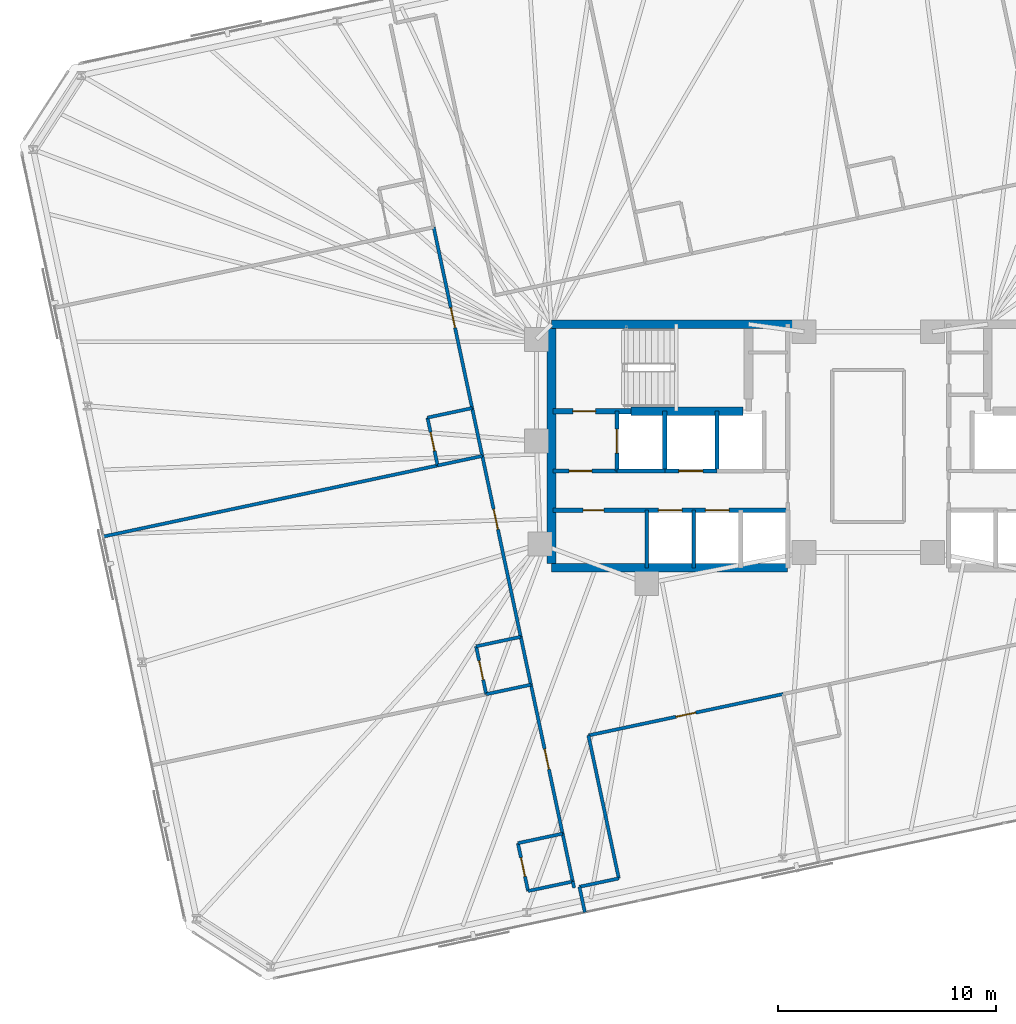
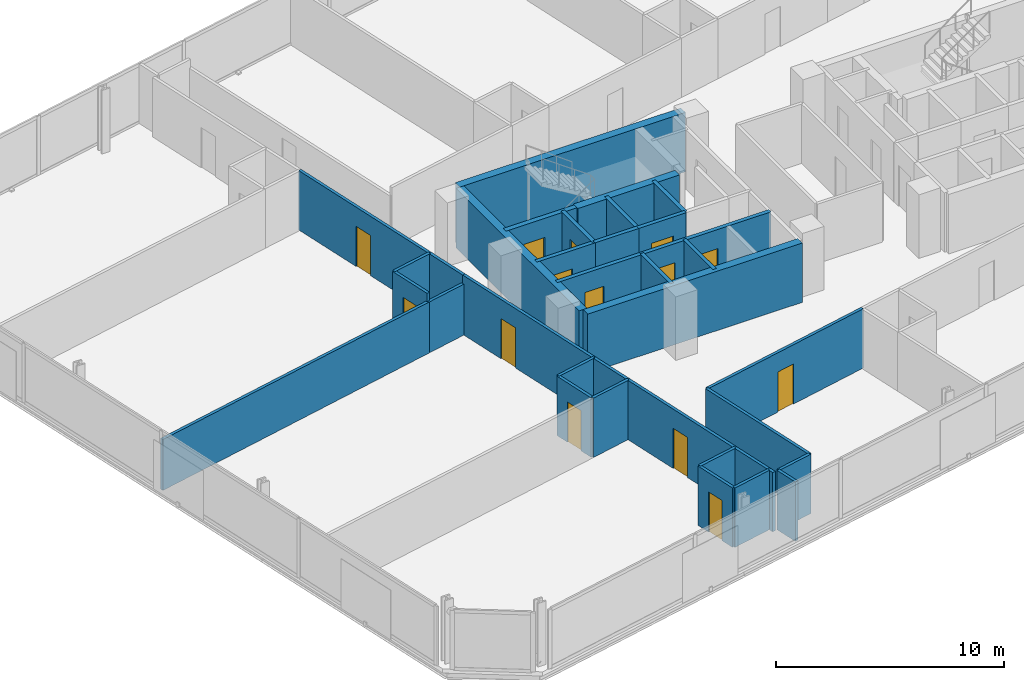
# One storey, part 14 of 19: 35 walls, 14 doors, 14 openings.
"""IFC4 building model written with IfcOpenShell, lengths in metres."""

import ifcopenshell
import ifcopenshell.guid

model = None  # the IFC model being written
_history = None  # IfcOwnerHistory: only IFC2X3 demands one
_inside = {}  # id of a spatial element -> (the spatial element, [elements in it])
_under = {}  # id of a project, library or spatial element -> (it, [spatial elements below it])
_declared = {}  # id of a project -> (the project, [libraries it declares])
_typed = {}  # id of a type object -> (the type object, [elements of that type])
_made_of = {}  # id of a material, layer set ... -> (it, [elements and type objects made of it])


def new_model(schema):
    """Start an empty IFC model of exactly this schema.

    Asked for "IFC4X3", IfcOpenShell would pick the latest addendum, in which some entities
    have other attributes; the version numbers below select the first issue.
    IFC2X3 requires an IfcOwnerHistory on every rooted entity: one is made here for all.
    """
    global model, _history
    if schema == "IFC4X3":
        model = ifcopenshell.file(schema_version=(4, 3, 0, 0))
    else:
        model = ifcopenshell.file(schema=schema)
    _inside.clear()
    _under.clear()
    _declared.clear()
    _typed.clear()
    _made_of.clear()
    _history = None
    if model.schema == "IFC2X3":
        org = make("IfcOrganization", Name="unknown")
        user = make(
            "IfcPersonAndOrganization",
            ThePerson=make("IfcPerson", FamilyName="unknown"),
            TheOrganization=org,
        )
        app = make(
            "IfcApplication",
            ApplicationDeveloper=org,
            Version="unknown",
            ApplicationFullName="unknown",
            ApplicationIdentifier="unknown",
        )
        _history = make(
            "IfcOwnerHistory",
            OwningUser=user,
            OwningApplication=app,
            ChangeAction="ADDED",
            CreationDate=0,
        )
    return model


def make(cls, **values):
    """One entity of the class cls with the attributes given. An attribute that is None is left unset."""
    return model.create_entity(
        cls, **{name: value for name, value in values.items() if value is not None}
    )


def rooted(cls, **values):
    """An entity with a GlobalId (a new one), such as an element, a storey or a relation."""
    return make(cls, GlobalId=ifcopenshell.guid.new(), OwnerHistory=_history, **values)


def si_unit(unit_type, name, prefix=None):
    """IfcSIUnit, for example si_unit("LENGTHUNIT", "METRE", prefix="MILLI")."""
    return make("IfcSIUnit", UnitType=unit_type, Prefix=prefix, Name=name)


def assignment(units):
    """IfcUnitAssignment: the units of a project."""
    return None if units is None else make("IfcUnitAssignment", Units=units)


def point(xyz):
    """IfcCartesianPoint."""
    return None if xyz is None else make("IfcCartesianPoint", Coordinates=xyz)


def direction(xyz):
    """IfcDirection."""
    return None if xyz is None else make("IfcDirection", DirectionRatios=xyz)


def frame(location, z_axis=None, x_axis=None):
    """IfcAxis2Placement3D, a coordinate frame: its origin and axes. An axis left out is left unset."""
    return make(
        "IfcAxis2Placement3D",
        Location=point(location),
        Axis=direction(z_axis),
        RefDirection=direction(x_axis),
    )


def frame_2d(location, x_axis=None):
    """IfcAxis2Placement2D, a coordinate frame in the plane: its origin and x axis."""
    return make(
        "IfcAxis2Placement2D", Location=point(location), RefDirection=direction(x_axis)
    )


def origin():
    """The frame at (0, 0, 0) with its axes left unset."""
    return frame((0.0, 0.0, 0.0))


def place(relative_to, where):
    """IfcLocalPlacement: puts the frame where relative to a parent placement (None: the world)."""
    return make(
        "IfcLocalPlacement", PlacementRelTo=relative_to, RelativePlacement=where
    )


def context(
    kind, dimensions, precision=None, world=None, true_north=None, identifier=None
):
    """IfcGeometricRepresentationContext, for example the 3D "Model" context."""
    return make(
        "IfcGeometricRepresentationContext",
        ContextIdentifier=identifier,
        ContextType=kind,
        CoordinateSpaceDimension=dimensions,
        Precision=precision,
        WorldCoordinateSystem=world,
        TrueNorth=true_north,
    )


def subcontext(parent, identifier, kind, view, scale=None):
    """IfcGeometricRepresentationSubContext, for example "Body" below "Model"."""
    return make(
        "IfcGeometricRepresentationSubContext",
        ContextIdentifier=identifier,
        ContextType=kind,
        ParentContext=parent,
        TargetScale=scale,
        TargetView=view,
    )


def project(units=None, contexts=None):
    """IfcProject with its units and contexts."""
    return rooted(
        "IfcProject",
        Name="project",
        RepresentationContexts=contexts,
        UnitsInContext=assignment(units),
    )


def spatial(cls, under=None, at=None, **own):
    """A site, building, storey or space (cls), placed at a placement, below another one or the project."""
    s = rooted(cls, ObjectPlacement=at, **own)
    if under is not None:
        _under.setdefault(under.id(), (under, []))[1].append(s)
    return s


def profile(cls, at=None, kind="AREA", **sizes):
    """A parametric profile (cls). Its sizes go by their IFC names, for example OverallWidth=200.0."""
    return make(cls, ProfileType=kind, Position=at, **sizes)


def rectangle(**sizes):
    """IfcRectangleProfileDef."""
    return profile("IfcRectangleProfileDef", **sizes)


def extrude(swept, where, along, depth):
    """IfcExtrudedAreaSolid: the profile swept, set in the frame where, extruded along a direction by depth."""
    return make(
        "IfcExtrudedAreaSolid",
        SweptArea=swept,
        Position=where,
        ExtrudedDirection=direction(along),
        Depth=depth,
    )


def shape(context_of_items, identifier, shape_type, items):
    """IfcShapeRepresentation: the items that make up one representation, for example the "Body"."""
    return make(
        "IfcShapeRepresentation",
        ContextOfItems=context_of_items,
        RepresentationIdentifier=identifier,
        RepresentationType=shape_type,
        Items=items,
    )


def material(Name=None, Category=None):
    """IfcMaterial."""
    return make("IfcMaterial", Name=Name, Category=Category)


def layer(
    of_material, thickness, ventilated=None, Name=None, Category=None, Priority=None
):
    """IfcMaterialLayer: one layer of a wall or slab, of a material (None: an air gap)."""
    return make(
        "IfcMaterialLayer",
        Material=of_material,
        LayerThickness=thickness,
        IsVentilated=ventilated,
        Name=Name,
        Category=Category,
        Priority=Priority,
    )


def layer_set(layers, Name=None):
    """IfcMaterialLayerSet."""
    return make("IfcMaterialLayerSet", MaterialLayers=layers, LayerSetName=Name)


def made_of(thing, what):
    """Note that an element or type object is made of a material, layer set ...; save() writes the relation."""
    if what is not None:
        _made_of.setdefault(what.id(), (what, []))[1].append(thing)
    return thing


def type_object(cls, material=None, **own):
    """A type object (cls), such as IfcWallType, which elements share."""
    return made_of(rooted(cls, **own), material)


def element(
    cls,
    number,
    at=None,
    inside=None,
    cuts=None,
    type_object=None,
    material=None,
    context=None,
    identifier="Body",
    shape_type=None,
    held_by="IfcProductDefinitionShape",
    body=None,
    shapes=None,
    **own,
):
    """One element of the class cls, such as IfcWall. Its Tag is "e" and its number.

    at: its placement. inside: the storey or other place that contains it. cuts: it is an
    opening in that element (IfcRelVoidsElement). A single representation is given by context,
    identifier, shape_type and body (its items); several are given by shapes. held_by: the class
    of the entity that holds the representations. save() writes the other relations.
    """
    e = rooted(cls, Tag="e%d" % number, ObjectPlacement=at, **own)
    if body is not None:
        shapes = [shape(context, identifier, shape_type, body)]
    if shapes is not None:
        e.Representation = make(held_by, Representations=shapes)
    if inside is not None:
        _inside.setdefault(inside.id(), (inside, []))[1].append(e)
    if cuts is not None:
        rooted(
            "IfcRelVoidsElement", RelatingBuildingElement=cuts, RelatedOpeningElement=e
        )
    if type_object is not None:
        _typed.setdefault(type_object.id(), (type_object, []))[1].append(e)
    return made_of(e, material)


def fill(opening, filler):
    """IfcRelFillsElement: the door or window that sits in an opening."""
    return rooted(
        "IfcRelFillsElement",
        RelatingOpeningElement=opening,
        RelatedBuildingElement=filler,
    )


def aggregate(whole, parts):
    """IfcRelAggregates: a whole, such as a stair, and the parts it consists of."""
    return rooted("IfcRelAggregates", RelatingObject=whole, RelatedObjects=parts)


def save(model, path):
    """Write the relations noted so far, then the file.

    IfcRelAggregates (storeys below a building ...), IfcRelContainedInSpatialStructure (elements
    in a storey), IfcRelDefinesByType, IfcRelAssociatesMaterial and IfcRelDeclares: one each for
    every whole, place, type object, material and project.
    """
    for whole, parts in _under.values():
        aggregate(whole, parts)
    for where, things in _inside.values():
        rooted(
            "IfcRelContainedInSpatialStructure",
            RelatedElements=things,
            RelatingStructure=where,
        )
    for kind, things in _typed.values():
        rooted("IfcRelDefinesByType", RelatedObjects=things, RelatingType=kind)
    for what, things in _made_of.values():
        rooted("IfcRelAssociatesMaterial", RelatedObjects=things, RelatingMaterial=what)
    for by, libraries in _declared.values():
        rooted("IfcRelDeclares", RelatingContext=by, RelatedDefinitions=libraries)
    model.write(path)


model = new_model("IFC4")

# Units and contexts
model_context = context("Model", 3, precision=1e-05, world=origin(), true_north=direction((0.0, 1.0)))
body_context = subcontext(model_context, "Body", "Model", "MODEL_VIEW")
ifc_project = project(units=[si_unit("LENGTHUNIT", "METRE"), si_unit("AREAUNIT", "SQUARE_METRE"), si_unit("VOLUMEUNIT", "CUBIC_METRE"), si_unit("PLANEANGLEUNIT", "RADIAN"), si_unit("MASSUNIT", "GRAM", prefix="KILO")], contexts=[model_context])

# Site, building, storey
site_placement = place(None, origin())
site = spatial("IfcSite", under=ifc_project, at=site_placement, CompositionType="ELEMENT")
building_placement = place(site_placement, origin())
building = spatial("IfcBuilding", under=site, at=building_placement, Name="Menara Jurai Vektor", CompositionType="ELEMENT")
storey_placement = place(building_placement, frame((0.0, 0.0, 195.60009765625)))
storey = spatial("IfcBuildingStorey", under=building, at=storey_placement, Name="L51", CompositionType="ELEMENT", Elevation=195.60009765625)

# Wall, opening, door
ifc_material_1 = material(Name="Concrete C40/50", Category="concrete")
ifc_layer_1 = layer(ifc_material_1, 0.25)
ifc_layer_set_1 = layer_set([ifc_layer_1], Name="Concrete C40/50")
wall_type_1 = type_object("IfcWallType", Name="INT-WALL-CORE-250", PredefinedType="STANDARD", material=ifc_layer_set_1)
wall_1_placement = place(storey_placement, frame((-14.5, 1.60009765625, 0.0), z_axis=(0.0, 0.0, 1.0), x_axis=(1.0, 0.0, 0.0)))
wall_1 = element("IfcWall", 1, at=wall_1_placement, inside=storey, type_object=wall_type_1, Name="Interior Wall IW-250 L51", PredefinedType="STANDARD", context=body_context, shape_type="SweptSolid", body=[
    extrude(rectangle(XDim=3.60009765625, YDim=0.25, at=frame_2d((1.800048828125, 0.0))), origin(), (0.0, 0.0, 1.0), 3.1748046875),
])
opening_1_placement = place(wall_1_placement, frame((0.919921875, 0.0, 0.0)))
opening_1 = element("IfcOpeningElement", 2, at=opening_1_placement, cuts=wall_1, Name="Opening D-L51-ST1", PredefinedType="OPENING", context=body_context, shape_type="SweptSolid", body=[
    extrude(rectangle(XDim=1.050048828125, YDim=2.14990234375, at=frame_2d((0.52490234375, 1.074951171875))), frame((0.0, 0.135009765625, 0.0), z_axis=(0.0, -1.0, 0.0), x_axis=(1.0, 0.0, 0.0)), (0.0, 0.0, 1.0), 0.27001953125),
])
ifc_material_2 = material(Name="Fire-Rated Steel Door", Category="steel")
door_type_1 = type_object("IfcDoorType", Name="DR-STAIR-1050", OperationType="NOTDEFINED", PredefinedType="DOOR", material=ifc_material_2)
door_1_placement = place(opening_1_placement, origin())
door_1 = element("IfcDoor", 3, at=door_1_placement, inside=storey, type_object=door_type_1, Name="Exit Stair ST1 Door L51", OperationType="SINGLE_SWING_RIGHT", OverallHeight=2.14990234375, OverallWidth=1.050048828125, PredefinedType="DOOR", context=body_context, shape_type="SweptSolid", body=[
    extrude(rectangle(XDim=1.050048828125, YDim=2.14990234375, at=frame_2d((0.52490234375, 1.074951171875))), frame((0.0, 0.02490234375, 0.0), z_axis=(0.0, -1.0, 0.0), x_axis=(1.0, 0.0, 0.0)), (0.0, 0.0, 1.0), 0.050048828125),
])
fill(opening_1, door_1)

wall_2_placement = place(storey_placement, frame((-11.550048828125, -1.14990234375, 0.0), z_axis=(0.0, 0.0, 1.0), x_axis=(0.0, 1.0, 0.0)))
wall_2 = element("IfcWall", 4, at=wall_2_placement, inside=storey, type_object=wall_type_1, Name="Interior Wall IW-250 L51", PredefinedType="STANDARD", context=body_context, shape_type="SweptSolid", body=[
    extrude(rectangle(XDim=2.75, YDim=0.199951171875, at=frame_2d((1.375, 0.0))), origin(), (0.0, 0.0, 1.0), 3.1748046875),
])
opening_2_placement = place(wall_2_placement, frame((0.824951171875, 0.0, 0.0)))
opening_2 = element("IfcOpeningElement", 5, at=opening_2_placement, cuts=wall_2, Name="Opening LD-L51-FL1", PredefinedType="OPENING", context=body_context, shape_type="SweptSolid", body=[
    extrude(rectangle(XDim=1.10009765625, YDim=2.14990234375, at=frame_2d((0.550048828125, 1.074951171875))), frame((0.0, 0.10986328125, 0.0), z_axis=(0.0, -1.0, 0.0), x_axis=(1.0, 0.0, 0.0)), (0.0, 0.0, 1.0), 0.219970703125),
])
ifc_material_3 = material(Name="Stainless Steel Sliding Lift Landing Door", Category="steel")
door_type_2 = type_object("IfcDoorType", Name="DR-LIFT-FIRE-1100", OperationType="NOTDEFINED", PredefinedType="DOOR", material=ifc_material_3)
door_2_placement = place(opening_2_placement, origin())
door_2 = element("IfcDoor", 6, at=door_2_placement, inside=storey, type_object=door_type_2, Name="Lift Landing Door FL1 L51", OperationType="SLIDING_TO_RIGHT", OverallHeight=2.14990234375, OverallWidth=1.10009765625, PredefinedType="DOOR", context=body_context, shape_type="SweptSolid", body=[
    extrude(rectangle(XDim=1.10009765625, YDim=2.14990234375, at=frame_2d((0.550048828125, 1.074951171875))), frame((0.0, 0.02490234375, 0.0), z_axis=(0.0, -1.0, 0.0), x_axis=(1.0, 0.0, 0.0)), (0.0, 0.0, 1.0), 0.050048828125),
])
fill(opening_2, door_2)

# Wall
wall_3_placement = place(storey_placement, frame((-9.35009765625, -1.14990234375, 0.0), z_axis=(0.0, 0.0, 1.0), x_axis=(0.0, 1.0, 0.0)))
element("IfcWall", 7, at=wall_3_placement, inside=storey, type_object=wall_type_1, Name="Interior Wall IW-250 L51", PredefinedType="STANDARD", context=body_context, shape_type="SweptSolid", body=[
    extrude(rectangle(XDim=2.75, YDim=0.199951171875, at=frame_2d((1.375, 0.0))), origin(), (0.0, 0.0, 1.0), 3.1748046875),
])

# Wall, opening, door
wall_4_placement = place(storey_placement, frame((-14.5, -1.14990234375, 0.0), z_axis=(0.0, 0.0, 1.0), x_axis=(1.0, 0.0, 0.0)))
wall_4 = element("IfcWall", 8, at=wall_4_placement, inside=storey, type_object=wall_type_1, Name="Interior Wall IW-250 L51", PredefinedType="STANDARD", context=body_context, shape_type="SweptSolid", body=[
    extrude(rectangle(XDim=2.949951171875, YDim=0.199951171875, at=frame_2d((1.47509765625, 0.0))), origin(), (0.0, 0.0, 1.0), 3.1748046875),
])
opening_3_placement = place(wall_4_placement, frame((0.75, 0.0, 0.0)))
opening_3 = element("IfcOpeningElement", 9, at=opening_3_placement, cuts=wall_4, Name="Opening D-L51-FFW", PredefinedType="OPENING", context=body_context, shape_type="SweptSolid", body=[
    extrude(rectangle(XDim=1.050048828125, YDim=2.179931640625, at=frame_2d((0.52490234375, 1.08984375))), frame((0.0, 0.10986328125, 0.0), z_axis=(0.0, -1.0, 0.0), x_axis=(1.0, 0.0, 0.0)), (0.0, 0.0, 1.0), 0.219970703125),
])
ifc_material_4 = material(Name="Fire-Rated Timber Door", Category="wood")
door_type_3 = type_object("IfcDoorType", Name="DR-LOBBY-1050", OperationType="NOTDEFINED", PredefinedType="DOOR", material=ifc_material_4)
door_3_placement = place(opening_3_placement, origin())
door_3 = element("IfcDoor", 10, at=door_3_placement, inside=storey, type_object=door_type_3, Name="Fire Lift Lobby Door W L51", OperationType="SINGLE_SWING_RIGHT", OverallHeight=2.179931640625, OverallWidth=1.050048828125, PredefinedType="DOOR", context=body_context, shape_type="SweptSolid", body=[
    extrude(rectangle(XDim=1.050048828125, YDim=2.179931640625, at=frame_2d((0.52490234375, 1.08984375))), frame((0.0, 0.02490234375, 0.0), z_axis=(0.0, -1.0, 0.0), x_axis=(1.0, 0.0, 0.0)), (0.0, 0.0, 1.0), 0.050048828125),
])
fill(opening_3, door_3)

# Walls
wall_5_placement = place(storey_placement, frame((-11.550048828125, -1.14990234375, 0.0), z_axis=(0.0, 0.0, 1.0), x_axis=(1.0, 0.0, 0.0)))
element("IfcWall", 11, at=wall_5_placement, inside=storey, type_object=wall_type_1, Name="Interior Wall IW-250 L51", PredefinedType="STANDARD", context=body_context, shape_type="SweptSolid", body=[
    extrude(rectangle(XDim=2.199951171875, YDim=0.199951171875, at=frame_2d((1.10009765625, 0.0))), origin(), (0.0, 0.0, 1.0), 3.1748046875),
])
ifc_material_5 = material(Name="Gypsum Fireboard Partition", Category="gypsum")
ifc_layer_2 = layer(ifc_material_5, 0.14990234375)
ifc_layer_set_2 = layer_set([ifc_layer_2], Name="Gypsum Fireboard Partition")
wall_type_2 = type_object("IfcWallType", Name="INT-WALL-CORR-150", PredefinedType="PARTITIONING", material=ifc_layer_set_2)
wall_6_placement = place(storey_placement, frame((-13.274169921875, -20.264892578125, 0.0), z_axis=(0.0, 0.0, 1.0), x_axis=(0.978160192495, 0.207852442415, 0.0)))
element("IfcWall", 12, at=wall_6_placement, inside=storey, type_object=wall_type_2, Name="Interior Wall IW-150 L51", PredefinedType="PARTITIONING", context=body_context, shape_type="SweptSolid", body=[
    extrude(rectangle(XDim=1.849853515625, YDim=0.14990234375, at=frame_2d((0.9248046875, 0.0))), origin(), (0.0, 0.0, 1.0), 3.1748046875),
])
wall_7_placement = place(storey_placement, frame((-11.464599609375, -19.88037109375, 0.0), z_axis=(0.0, 0.0, 1.0), x_axis=(-0.207916109912, 0.978146661416, 0.0)))
element("IfcWall", 13, at=wall_7_placement, inside=storey, type_object=wall_type_2, Name="Interior Wall IW-150 L51", PredefinedType="PARTITIONING", context=body_context, shape_type="SweptSolid", body=[
    extrude(rectangle(XDim=6.72021484375, YDim=0.14990234375, at=frame_2d((3.360107421875, 0.0))), origin(), (0.0, 0.0, 1.0), 3.1748046875),
])

# Wall, opening, door
wall_8_placement = place(storey_placement, frame((-12.86181640625, -13.30712890625, 0.0), z_axis=(0.0, 0.0, 1.0), x_axis=(0.978149904805, 0.207900850719, 0.0)))
wall_8 = element("IfcWall", 14, at=wall_8_placement, inside=storey, type_object=wall_type_2, Name="Interior Wall IW-150 L51", PredefinedType="PARTITIONING", context=body_context, shape_type="SweptSolid", body=[
    extrude(rectangle(XDim=9.156005859375, YDim=0.14990234375, at=frame_2d((4.578125, 0.0))), origin(), (0.0, 0.0, 1.0), 3.1748046875),
])
opening_4_placement = place(wall_8_placement, frame((4.117919921875, 0.0, 0.0)))
opening_4 = element("IfcOpeningElement", 15, at=opening_4_placement, cuts=wall_8, Name="Opening D51-14", PredefinedType="OPENING", context=body_context, shape_type="SweptSolid", body=[
    extrude(rectangle(XDim=0.919921875, YDim=2.14990234375, at=frame_2d((0.4599609375, 1.074951171875))), frame((0.0, 0.0849609375, 0.0), z_axis=(0.0, -1.0, 0.0), x_axis=(1.0, 0.0, 0.0)), (0.0, 0.0, 1.0), 0.169921875),
])
ifc_material_6 = material(Name="Solid Core Timber Fire Door", Category="wood")
door_type_4 = type_object("IfcDoorType", Name="DR-ENTRY-950", OperationType="NOTDEFINED", PredefinedType="DOOR", material=ifc_material_6)
door_4_placement = place(opening_4_placement, origin())
door_4 = element("IfcDoor", 16, at=door_4_placement, inside=storey, type_object=door_type_4, Name="Interior Door D51-14", OperationType="SINGLE_SWING_LEFT", OverallHeight=2.14990234375, OverallWidth=0.919921875, PredefinedType="DOOR", context=body_context, shape_type="SweptSolid", body=[
    extrude(rectangle(XDim=0.919921875, YDim=2.14990234375, at=frame_2d((0.4599609375, 1.074951171875))), frame((0.0, 0.02490234375, 0.0), z_axis=(0.0, -1.0, 0.0), x_axis=(1.0, 0.0, 0.0)), (0.0, 0.0, 1.0), 0.050048828125),
])
fill(opening_4, door_4)

# Wall
wall_9_placement = place(storey_placement, frame((-13.518798828125, -20.31689453125, 0.0), z_axis=(0.0, 0.0, 1.0), x_axis=(-0.207527808066, 0.978229118806, 0.0)))
element("IfcWall", 17, at=wall_9_placement, inside=storey, type_object=wall_type_2, Name="Interior Wall IW-150 L51", PredefinedType="PARTITIONING", context=body_context, shape_type="SweptSolid", body=[
    extrude(rectangle(XDim=0.300048828125, YDim=0.14990234375, at=frame_2d((0.14990234375, 0.0))), origin(), (0.0, 0.0, 1.0), 3.1748046875),
])

# Wall, opening, door
wall_10_placement = place(storey_placement, frame((-14.048828125, -17.822509765625, 0.0), z_axis=(0.0, 0.0, 1.0), x_axis=(-0.207940096132, 0.978141562567, 0.0)))
wall_10 = element("IfcWall", 18, at=wall_10_placement, inside=storey, type_object=wall_type_2, Name="Interior Wall IW-150 L51", PredefinedType="PARTITIONING", context=body_context, shape_type="SweptSolid", body=[
    extrude(rectangle(XDim=7.0, YDim=0.14990234375, at=frame_2d((3.5, 0.0))), origin(), (0.0, 0.0, 1.0), 3.1748046875),
])
opening_5_placement = place(wall_10_placement, frame((3.02490234375, 0.0, 0.0)))
opening_5 = element("IfcOpeningElement", 19, at=opening_5_placement, cuts=wall_10, Name="Opening D51-19", PredefinedType="OPENING", context=body_context, shape_type="SweptSolid", body=[
    extrude(rectangle(XDim=0.949951171875, YDim=2.14990234375, at=frame_2d((0.47509765625, 1.074951171875))), frame((0.0, 0.0849609375, 0.0), z_axis=(0.0, -1.0, 0.0), x_axis=(1.0, 0.0, 0.0)), (0.0, 0.0, 1.0), 0.169921875),
])
door_5_placement = place(opening_5_placement, origin())
door_5 = element("IfcDoor", 20, at=door_5_placement, inside=storey, type_object=door_type_4, Name="Interior Door D51-19", OperationType="SINGLE_SWING_RIGHT", OverallHeight=2.14990234375, OverallWidth=0.949951171875, PredefinedType="DOOR", context=body_context, shape_type="SweptSolid", body=[
    extrude(rectangle(XDim=0.949951171875, YDim=2.14990234375, at=frame_2d((0.47509765625, 1.074951171875))), frame((0.0, 0.02490234375, 0.0), z_axis=(0.0, -1.0, 0.0), x_axis=(1.0, 0.0, 0.0)), (0.0, 0.0, 1.0), 0.050048828125),
])
fill(opening_5, door_5)

# Wall
wall_11_placement = place(storey_placement, frame((-13.5810546875, -20.0234375, 0.0), z_axis=(0.0, 0.0, 1.0), x_axis=(-0.207891197838, 0.978151956427, 0.0)))
element("IfcWall", 21, at=wall_11_placement, inside=storey, type_object=wall_type_2, Name="Interior Wall IW-150 L51", PredefinedType="PARTITIONING", context=body_context, shape_type="SweptSolid", body=[
    extrude(rectangle(XDim=2.25, YDim=0.14990234375, at=frame_2d((1.125, 0.0))), origin(), (0.0, 0.0, 1.0), 3.1748046875),
])

# Wall, opening, door
wall_12_placement = place(storey_placement, frame((-15.97216796875, -8.774658203125, 0.0), z_axis=(0.0, 0.0, 1.0), x_axis=(-0.207894825434, 0.97815118543, 0.0)))
wall_12 = element("IfcWall", 22, at=wall_12_placement, inside=storey, type_object=wall_type_2, Name="Interior Wall IW-150 L51", PredefinedType="PARTITIONING", context=body_context, shape_type="SweptSolid", body=[
    extrude(rectangle(XDim=8.5, YDim=0.14990234375, at=frame_2d((4.25, 0.0))), origin(), (0.0, 0.0, 1.0), 3.1748046875),
])
opening_6_placement = place(wall_12_placement, frame((5.050048828125, 0.0, 0.0)))
opening_6 = element("IfcOpeningElement", 23, at=opening_6_placement, cuts=wall_12, Name="Opening D51-21", PredefinedType="OPENING", context=body_context, shape_type="SweptSolid", body=[
    extrude(rectangle(XDim=0.949951171875, YDim=2.14990234375, at=frame_2d((0.47509765625, 1.074951171875))), frame((0.0, 0.0849609375, 0.0), z_axis=(0.0, -1.0, 0.0), x_axis=(1.0, 0.0, 0.0)), (0.0, 0.0, 1.0), 0.169921875),
])
door_6_placement = place(opening_6_placement, origin())
door_6 = element("IfcDoor", 24, at=door_6_placement, inside=storey, type_object=door_type_4, Name="Interior Door D51-21", OperationType="SINGLE_SWING_RIGHT", OverallHeight=2.14990234375, OverallWidth=0.949951171875, PredefinedType="DOOR", context=body_context, shape_type="SweptSolid", body=[
    extrude(rectangle(XDim=0.949951171875, YDim=2.14990234375, at=frame_2d((0.47509765625, 1.074951171875))), frame((0.0, 0.02490234375, 0.0), z_axis=(0.0, -1.0, 0.0), x_axis=(1.0, 0.0, 0.0)), (0.0, 0.0, 1.0), 0.050048828125),
])
fill(opening_6, door_6)

# Wall
wall_13_placement = place(storey_placement, frame((-15.50439453125, -10.9755859375, 0.0), z_axis=(0.0, 0.0, 1.0), x_axis=(-0.207891197838, 0.978151956427, 0.0)))
element("IfcWall", 25, at=wall_13_placement, inside=storey, type_object=wall_type_2, Name="Interior Wall IW-150 L51", PredefinedType="PARTITIONING", context=body_context, shape_type="SweptSolid", body=[
    extrude(rectangle(XDim=2.25, YDim=0.14990234375, at=frame_2d((1.125, 0.0))), origin(), (0.0, 0.0, 1.0), 3.1748046875),
])

# Wall, opening, door
wall_14_placement = place(storey_placement, frame((-18.20703125, 1.740478515625, 0.0), z_axis=(0.0, 0.0, 1.0), x_axis=(-0.207922306475, 0.978145344246, 0.0)))
wall_14 = element("IfcWall", 26, at=wall_14_placement, inside=storey, type_object=wall_type_2, Name="Interior Wall IW-150 L51", PredefinedType="PARTITIONING", context=body_context, shape_type="SweptSolid", body=[
    extrude(rectangle(XDim=8.5, YDim=0.14990234375, at=frame_2d((4.25, 0.0))), origin(), (0.0, 0.0, 1.0), 3.1748046875),
])
opening_7_placement = place(wall_14_placement, frame((3.77490234375, 0.0, 0.0)))
opening_7 = element("IfcOpeningElement", 27, at=opening_7_placement, cuts=wall_14, Name="Opening D51-23", PredefinedType="OPENING", context=body_context, shape_type="SweptSolid", body=[
    extrude(rectangle(XDim=0.949951171875, YDim=2.14990234375, at=frame_2d((0.47509765625, 1.074951171875))), frame((0.0, 0.0849609375, 0.0), z_axis=(0.0, -1.0, 0.0), x_axis=(1.0, 0.0, 0.0)), (0.0, 0.0, 1.0), 0.169921875),
])
door_7_placement = place(opening_7_placement, origin())
door_7 = element("IfcDoor", 28, at=door_7_placement, inside=storey, type_object=door_type_4, Name="Interior Door D51-23", OperationType="SINGLE_SWING_RIGHT", OverallHeight=2.14990234375, OverallWidth=0.949951171875, PredefinedType="DOOR", context=body_context, shape_type="SweptSolid", body=[
    extrude(rectangle(XDim=0.949951171875, YDim=2.14990234375, at=frame_2d((0.47509765625, 1.074951171875))), frame((0.0, 0.02490234375, 0.0), z_axis=(0.0, -1.0, 0.0), x_axis=(1.0, 0.0, 0.0)), (0.0, 0.0, 1.0), 0.050048828125),
])
fill(opening_7, door_7)

# Walls
wall_15_placement = place(storey_placement, frame((-17.7392578125, -0.46044921875, 0.0), z_axis=(0.0, 0.0, 1.0), x_axis=(-0.207891197838, 0.978151956427, 0.0)))
element("IfcWall", 29, at=wall_15_placement, inside=storey, type_object=wall_type_2, Name="Interior Wall IW-150 L51", PredefinedType="PARTITIONING", context=body_context, shape_type="SweptSolid", body=[
    extrude(rectangle(XDim=2.25, YDim=0.14990234375, at=frame_2d((1.125, 0.0))), origin(), (0.0, 0.0, 1.0), 3.1748046875),
])
wall_16_placement = place(storey_placement, frame((-13.024658203125, -21.438720703125, 0.0), z_axis=(0.0, 0.0, 1.0), x_axis=(-0.207917150959, 0.978146440129, 0.0)))
element("IfcWall", 30, at=wall_16_placement, inside=storey, type_object=wall_type_2, Name="Interior Wall IW-150 L51", PredefinedType="PARTITIONING", context=body_context, shape_type="SweptSolid", body=[
    extrude(rectangle(XDim=1.199951171875, YDim=0.14990234375, at=frame_2d((0.60009765625, 0.0))), origin(), (0.0, 0.0, 1.0), 3.1748046875),
])

# Wall, opening, door
wall_17_placement = place(storey_placement, frame((-15.63525390625, -20.4599609375, 0.0), z_axis=(0.0, 0.0, 1.0), x_axis=(-0.207913264065, 0.978147266328, 0.0)))
wall_17 = element("IfcWall", 31, at=wall_17_placement, inside=storey, type_object=wall_type_2, Name="Interior Wall IW-150 L51", PredefinedType="PARTITIONING", context=body_context, shape_type="SweptSolid", body=[
    extrude(rectangle(XDim=2.249755859375, YDim=0.14990234375, at=frame_2d((1.125, 0.0))), origin(), (0.0, 0.0, 1.0), 3.1748046875),
])
opening_8_placement = place(wall_17_placement, frame((0.68505859375, 0.0, 0.0)))
opening_8 = element("IfcOpeningElement", 32, at=opening_8_placement, cuts=wall_17, Name="Opening D51-20", PredefinedType="OPENING", context=body_context, shape_type="SweptSolid", body=[
    extrude(rectangle(XDim=0.8798828125, YDim=2.14990234375, at=frame_2d((0.43994140625, 1.074951171875))), frame((0.0, 0.0849609375, 0.0), z_axis=(0.0, -1.0, 0.0), x_axis=(1.0, 0.0, 0.0)), (0.0, 0.0, 1.0), 0.169921875),
])
ifc_material_7 = material(Name="Moisture-Resistant Timber Door", Category="wood")
door_type_5 = type_object("IfcDoorType", Name="DR-BATH-880", OperationType="NOTDEFINED", PredefinedType="DOOR", material=ifc_material_7)
door_8_placement = place(opening_8_placement, origin())
door_8 = element("IfcDoor", 33, at=door_8_placement, inside=storey, type_object=door_type_5, Name="Interior Door D51-20", OperationType="SINGLE_SWING_LEFT", OverallHeight=2.14990234375, OverallWidth=0.8798828125, PredefinedType="DOOR", context=body_context, shape_type="SweptSolid", body=[
    extrude(rectangle(XDim=0.8798828125, YDim=2.14990234375, at=frame_2d((0.43994140625, 1.074951171875))), frame((0.0, 0.02490234375, 0.0), z_axis=(0.0, -1.0, 0.0), x_axis=(1.0, 0.0, 0.0)), (0.0, 0.0, 1.0), 0.050048828125),
])
fill(opening_8, door_8)

# Walls
for number, where, z_axis, x_axis, name in (
    (34, (-15.63525390625, -20.4599609375, 0.0), (0.0, 0.0, 1.0), (0.97815826, 0.207861536591, 0.0), "Interior Wall IW-150 L51"),
    (35, (-16.10302734375, -18.25927734375, 0.0), (0.0, 0.0, 1.0), (0.978134617382, 0.207972763311, 0.0), "Interior Wall IW-150 L51"),
):
    element("IfcWall", number, at=place(storey_placement, frame(where, z_axis=z_axis, x_axis=x_axis)), inside=storey, type_object=wall_type_2, Name=name, PredefinedType="PARTITIONING", context=body_context, shape_type="SweptSolid", body=[
        extrude(rectangle(XDim=2.10009765625, YDim=0.14990234375, at=frame_2d((1.050048828125, 0.0))), origin(), (0.0, 0.0, 1.0), 3.1748046875),
    ])
wall_18_placement = place(storey_placement, frame((-17.558349609375, -11.412109375, 0.0), z_axis=(0.0, 0.0, 1.0), x_axis=(0.978153236239, 0.207885176084, 0.0)))
element("IfcWall", 36, at=wall_18_placement, inside=storey, type_object=wall_type_2, Name="Interior Wall IW-150 L51", PredefinedType="PARTITIONING", context=body_context, shape_type="SweptSolid", body=[
    extrude(rectangle(XDim=2.099853515625, YDim=0.14990234375, at=frame_2d((1.0498046875, 0.0))), origin(), (0.0, 0.0, 1.0), 3.1748046875),
])

# Wall, opening, door
wall_19_placement = place(storey_placement, frame((-17.558349609375, -11.412109375, 0.0), z_axis=(0.0, 0.0, 1.0), x_axis=(-0.207891197838, 0.978151956427, 0.0)))
wall_19 = element("IfcWall", 37, at=wall_19_placement, inside=storey, type_object=wall_type_2, Name="Interior Wall IW-150 L51", PredefinedType="PARTITIONING", context=body_context, shape_type="SweptSolid", body=[
    extrude(rectangle(XDim=2.25, YDim=0.14990234375, at=frame_2d((1.125, 0.0))), origin(), (0.0, 0.0, 1.0), 3.1748046875),
])
opening_9_placement = place(wall_19_placement, frame((0.68505859375, 0.0, 0.0)))
opening_9 = element("IfcOpeningElement", 38, at=opening_9_placement, cuts=wall_19, Name="Opening D51-22", PredefinedType="OPENING", context=body_context, shape_type="SweptSolid", body=[
    extrude(rectangle(XDim=0.8798828125, YDim=2.14990234375, at=frame_2d((0.43994140625, 1.074951171875))), frame((0.0, 0.0849609375, 0.0), z_axis=(0.0, -1.0, 0.0), x_axis=(1.0, 0.0, 0.0)), (0.0, 0.0, 1.0), 0.169921875),
])
door_9_placement = place(opening_9_placement, origin())
door_9 = element("IfcDoor", 39, at=door_9_placement, inside=storey, type_object=door_type_5, Name="Interior Door D51-22", OperationType="SINGLE_SWING_LEFT", OverallHeight=2.14990234375, OverallWidth=0.8798828125, PredefinedType="DOOR", context=body_context, shape_type="SweptSolid", body=[
    extrude(rectangle(XDim=0.8798828125, YDim=2.14990234375, at=frame_2d((0.43994140625, 1.074951171875))), frame((0.0, 0.02490234375, 0.0), z_axis=(0.0, -1.0, 0.0), x_axis=(1.0, 0.0, 0.0)), (0.0, 0.0, 1.0), 0.050048828125),
])
fill(opening_9, door_9)

# Wall
wall_20_placement = place(storey_placement, frame((-18.026123046875, -9.211181640625, 0.0), z_axis=(0.0, 0.0, 1.0), x_axis=(0.978153236239, 0.207885176084, 0.0)))
element("IfcWall", 40, at=wall_20_placement, inside=storey, type_object=wall_type_2, Name="Interior Wall IW-150 L51", PredefinedType="PARTITIONING", context=body_context, shape_type="SweptSolid", body=[
    extrude(rectangle(XDim=2.099853515625, YDim=0.14990234375, at=frame_2d((1.0498046875, 0.0))), origin(), (0.0, 0.0, 1.0), 3.1748046875),
])

# Wall, opening, door
wall_21_placement = place(storey_placement, frame((-19.79345703125, -0.897216796875, 0.0), z_axis=(0.0, 0.0, 1.0), x_axis=(-0.207891197838, 0.978151956427, 0.0)))
wall_21 = element("IfcWall", 41, at=wall_21_placement, inside=storey, type_object=wall_type_2, Name="Interior Wall IW-150 L51", PredefinedType="PARTITIONING", context=body_context, shape_type="SweptSolid", body=[
    extrude(rectangle(XDim=2.25, YDim=0.14990234375, at=frame_2d((1.125, 0.0))), origin(), (0.0, 0.0, 1.0), 3.1748046875),
])
opening_10_placement = place(wall_21_placement, frame((0.68505859375, 0.0, 0.0)))
opening_10 = element("IfcOpeningElement", 42, at=opening_10_placement, cuts=wall_21, Name="Opening D51-24", PredefinedType="OPENING", context=body_context, shape_type="SweptSolid", body=[
    extrude(rectangle(XDim=0.8798828125, YDim=2.14990234375, at=frame_2d((0.43994140625, 1.074951171875))), frame((0.0, 0.0849609375, 0.0), z_axis=(0.0, -1.0, 0.0), x_axis=(1.0, 0.0, 0.0)), (0.0, 0.0, 1.0), 0.169921875),
])
door_10_placement = place(opening_10_placement, origin())
door_10 = element("IfcDoor", 43, at=door_10_placement, inside=storey, type_object=door_type_5, Name="Interior Door D51-24", OperationType="SINGLE_SWING_LEFT", OverallHeight=2.14990234375, OverallWidth=0.8798828125, PredefinedType="DOOR", context=body_context, shape_type="SweptSolid", body=[
    extrude(rectangle(XDim=0.8798828125, YDim=2.14990234375, at=frame_2d((0.43994140625, 1.074951171875))), frame((0.0, 0.02490234375, 0.0), z_axis=(0.0, -1.0, 0.0), x_axis=(1.0, 0.0, 0.0)), (0.0, 0.0, 1.0), 0.050048828125),
])
fill(opening_10, door_10)

# Walls
wall_22_placement = place(storey_placement, frame((-20.26123046875, 1.3037109375, 0.0), z_axis=(0.0, 0.0, 1.0), x_axis=(0.978134617382, 0.207972763311, 0.0)))
element("IfcWall", 44, at=wall_22_placement, inside=storey, type_object=wall_type_2, Name="Interior Wall IW-150 L51", PredefinedType="PARTITIONING", context=body_context, shape_type="SweptSolid", body=[
    extrude(rectangle(XDim=2.10009765625, YDim=0.14990234375, at=frame_2d((1.050048828125, 0.0))), origin(), (0.0, 0.0, 1.0), 3.1748046875),
])
ifc_layer_3 = layer(ifc_material_5, 0.14990234375)
ifc_layer_set_3 = layer_set([ifc_layer_3], Name="Gypsum Fireboard Partition")
wall_type_3 = type_object("IfcWallType", Name="INT-WALL-CORR-150-H1", PredefinedType="PARTITIONING", material=ifc_layer_set_3)
wall_23_placement = place(storey_placement, frame((-35.16796875, -4.1650390625, 0.0), z_axis=(0.0, 0.0, 1.0), x_axis=(0.978149296727, 0.207903711638, 0.0)))
element("IfcWall", 45, at=wall_23_placement, inside=storey, type_object=wall_type_3, Name="Interior Wall IW-150 L51", PredefinedType="PARTITIONING", context=body_context, shape_type="SweptSolid", body=[
    extrude(rectangle(XDim=15.718017578125, YDim=0.14990234375, at=frame_2d((7.85888671875, 0.0))), origin(), (0.0, 0.0, 1.0), 2.724853515625),
])
wall_24_placement = place(storey_placement, frame((-19.79345703125, -0.897216796875, 0.0), z_axis=(0.0, 0.0, 1.0), x_axis=(0.978134617382, 0.207972763311, 0.0)))
element("IfcWall", 46, at=wall_24_placement, inside=storey, type_object=wall_type_3, Name="Interior Wall IW-150 L51", PredefinedType="PARTITIONING", context=body_context, shape_type="SweptSolid", body=[
    extrude(rectangle(XDim=2.10009765625, YDim=0.14990234375, at=frame_2d((1.050048828125, 0.0))), origin(), (0.0, 0.0, 1.0), 2.724853515625),
])
ifc_layer_4 = layer(ifc_material_1, 0.199951171875)
ifc_layer_set_4 = layer_set([ifc_layer_4], Name="Concrete C40/50")
wall_type_4 = type_object("IfcWallType", Name="INT-WALL-SHAFT-200", PredefinedType="STANDARD", material=ifc_layer_set_4)
wall_25_placement = place(storey_placement, frame((-6.949951171875, -1.14990234375, 0.0), z_axis=(0.0, 0.0, 1.0), x_axis=(0.0, 1.0, 0.0)))
element("IfcWall", 47, at=wall_25_placement, inside=storey, type_object=wall_type_4, Name="Interior Wall IW-200 L51", PredefinedType="STANDARD", context=body_context, shape_type="SweptSolid", body=[
    extrude(rectangle(XDim=2.75, YDim=0.199951171875, at=frame_2d((1.375, 0.0))), origin(), (0.0, 0.0, 1.0), 3.1748046875),
])

# Wall, opening, door
wall_26_placement = place(storey_placement, frame((-9.35009765625, -1.14990234375, 0.0), z_axis=(0.0, 0.0, 1.0), x_axis=(1.0, 0.0, 0.0)))
wall_26 = element("IfcWall", 48, at=wall_26_placement, inside=storey, type_object=wall_type_4, Name="Interior Wall IW-200 L51", PredefinedType="STANDARD", context=body_context, shape_type="SweptSolid", body=[
    extrude(rectangle(XDim=2.400146484375, YDim=0.199951171875, at=frame_2d((1.2001953125, 0.0))), origin(), (0.0, 0.0, 1.0), 3.1748046875),
])
opening_11_placement = place(wall_26_placement, frame((0.64990234375, 0.0, 0.0)))
opening_11 = element("IfcOpeningElement", 49, at=opening_11_placement, cuts=wall_26, Name="Opening LD-L51-SVL1", PredefinedType="OPENING", context=body_context, shape_type="SweptSolid", body=[
    extrude(rectangle(XDim=1.10009765625, YDim=2.14990234375, at=frame_2d((0.550048828125, 1.074951171875))), frame((0.0, 0.10986328125, 0.0), z_axis=(0.0, -1.0, 0.0), x_axis=(1.0, 0.0, 0.0)), (0.0, 0.0, 1.0), 0.219970703125),
])
ifc_material_8 = material(Name="Anodised Stainless Sliding Lift Landing Door", Category="steel")
door_type_6 = type_object("IfcDoorType", Name="DR-LIFT-PASS-1100", OperationType="NOTDEFINED", PredefinedType="DOOR", material=ifc_material_8)
door_11_placement = place(opening_11_placement, origin())
door_11 = element("IfcDoor", 50, at=door_11_placement, inside=storey, type_object=door_type_6, Name="Lift Landing Door SVL1 L51", OperationType="SLIDING_TO_RIGHT", OverallHeight=2.14990234375, OverallWidth=1.10009765625, PredefinedType="DOOR", context=body_context, shape_type="SweptSolid", body=[
    extrude(rectangle(XDim=1.10009765625, YDim=2.14990234375, at=frame_2d((0.550048828125, 1.074951171875))), frame((0.0, 0.02490234375, 0.0), z_axis=(0.0, -1.0, 0.0), x_axis=(1.0, 0.0, 0.0)), (0.0, 0.0, 1.0), 0.050048828125),
])
fill(opening_11, door_11)

# Wall, openings, doors
wall_27_placement = place(storey_placement, frame((-14.5, -2.949951171875, 0.0), z_axis=(0.0, 0.0, 1.0), x_axis=(1.0, 0.0, 0.0)))
wall_27 = element("IfcWall", 51, at=wall_27_placement, inside=storey, type_object=wall_type_4, Name="Interior Wall IW-200 L51", PredefinedType="STANDARD", context=body_context, shape_type="SweptSolid", body=[
    extrude(rectangle(XDim=10.800048828125, YDim=0.199951171875, at=frame_2d((5.39990234375, 0.0))), origin(), (0.0, 0.0, 1.0), 3.1748046875),
])
opening_12_placement = place(wall_27_placement, frame((4.85009765625, 0.0, 0.0)))
opening_12 = element("IfcOpeningElement", 52, at=opening_12_placement, cuts=wall_27, Name="Opening LD-L51-PM1", PredefinedType="OPENING", context=body_context, shape_type="SweptSolid", body=[
    extrude(rectangle(XDim=1.10009765625, YDim=2.14990234375, at=frame_2d((0.550048828125, 1.074951171875))), frame((0.0, 0.10986328125, 0.0), z_axis=(0.0, -1.0, 0.0), x_axis=(1.0, 0.0, 0.0)), (0.0, 0.0, 1.0), 0.219970703125),
])
opening_13_placement = place(wall_27_placement, frame((7.010009765625, 0.0, 0.0)))
opening_13 = element("IfcOpeningElement", 53, at=opening_13_placement, cuts=wall_27, Name="Opening LD-L51-PM2", PredefinedType="OPENING", context=body_context, shape_type="SweptSolid", body=[
    extrude(rectangle(XDim=1.10009765625, YDim=2.14990234375, at=frame_2d((0.550048828125, 1.074951171875))), frame((0.0, 0.10986328125, 0.0), z_axis=(0.0, -1.0, 0.0), x_axis=(1.0, 0.0, 0.0)), (0.0, 0.0, 1.0), 0.219970703125),
])
opening_14_placement = place(wall_27_placement, frame((1.39990234375, 0.0, 0.0)))
opening_14 = element("IfcOpeningElement", 54, at=opening_14_placement, cuts=wall_27, Name="Opening D51-01", PredefinedType="OPENING", context=body_context, shape_type="SweptSolid", body=[
    extrude(rectangle(XDim=0.949951171875, YDim=2.14990234375, at=frame_2d((0.47509765625, 1.074951171875))), frame((0.0, 0.10986328125, 0.0), z_axis=(0.0, -1.0, 0.0), x_axis=(1.0, 0.0, 0.0)), (0.0, 0.0, 1.0), 0.219970703125),
])
door_12_placement = place(opening_14_placement, origin())
door_12 = element("IfcDoor", 55, at=door_12_placement, inside=storey, type_object=door_type_4, Name="Interior Door D51-01", OperationType="SINGLE_SWING_LEFT", OverallHeight=2.14990234375, OverallWidth=0.949951171875, PredefinedType="DOOR", context=body_context, shape_type="SweptSolid", body=[
    extrude(rectangle(XDim=0.949951171875, YDim=2.14990234375, at=frame_2d((0.47509765625, 1.074951171875))), frame((0.0, 0.02490234375, 0.0), z_axis=(0.0, -1.0, 0.0), x_axis=(1.0, 0.0, 0.0)), (0.0, 0.0, 1.0), 0.050048828125),
])
fill(opening_14, door_12)
door_13_placement = place(opening_12_placement, origin())
door_13 = element("IfcDoor", 56, at=door_13_placement, inside=storey, type_object=door_type_6, Name="Lift Landing Door PM1 L51", OperationType="SLIDING_TO_LEFT", OverallHeight=2.14990234375, OverallWidth=1.10009765625, PredefinedType="DOOR", context=body_context, shape_type="SweptSolid", body=[
    extrude(rectangle(XDim=1.10009765625, YDim=2.14990234375, at=frame_2d((0.550048828125, 1.074951171875))), frame((0.0, 0.02490234375, 0.0), z_axis=(0.0, -1.0, 0.0), x_axis=(1.0, 0.0, 0.0)), (0.0, 0.0, 1.0), 0.050048828125),
])
fill(opening_12, door_13)
door_14_placement = place(opening_13_placement, origin())
door_14 = element("IfcDoor", 57, at=door_14_placement, inside=storey, type_object=door_type_6, Name="Lift Landing Door PM2 L51", OperationType="SLIDING_TO_LEFT", OverallHeight=2.14990234375, OverallWidth=1.10009765625, PredefinedType="DOOR", context=body_context, shape_type="SweptSolid", body=[
    extrude(rectangle(XDim=1.10009765625, YDim=2.14990234375, at=frame_2d((0.550048828125, 1.074951171875))), frame((0.0, 0.02490234375, 0.0), z_axis=(0.0, -1.0, 0.0), x_axis=(1.0, 0.0, 0.0)), (0.0, 0.0, 1.0), 0.050048828125),
])
fill(opening_13, door_14)

# Walls
for number, where, z_axis, x_axis, name in (
    (58, (-10.179931640625, -5.60009765625, 0.0), (0.0, 0.0, 1.0), (0.0, 1.0, 0.0), "Interior Wall IW-200 L51"),
    (59, (-8.02001953125, -5.60009765625, 0.0), (0.0, 0.0, 1.0), (0.0, 1.0, 0.0), "Interior Wall IW-200 L51"),
):
    element("IfcWall", number, at=place(storey_placement, frame(where, z_axis=z_axis, x_axis=x_axis)), inside=storey, type_object=wall_type_4, Name=name, PredefinedType="STANDARD", context=body_context, shape_type="SweptSolid", body=[
        extrude(rectangle(XDim=2.650146484375, YDim=0.179931640625, at=frame_2d((1.3251953125, 0.0))), origin(), (0.0, 0.0, 1.0), 3.1748046875),
    ])
ifc_material_9 = material(Name="Concrete C50/60", Category="concrete")
ifc_layer_5 = layer(ifc_material_9, 0.39990234375)
ifc_layer_set_5 = layer_set([ifc_layer_5], Name="Concrete C50/60")
wall_type_5 = type_object("IfcWallType", Name="STR-WALL-CORE400", PredefinedType="SHEAR", material=ifc_layer_set_5)
wall_28_placement = place(storey_placement, frame((-14.56005859375, 5.60009765625, 0.0), z_axis=(0.0, 0.0, 1.0), x_axis=(1.0, 0.0, 0.0)))
element("IfcWall", 60, at=wall_28_placement, inside=storey, type_object=wall_type_5, Name="Core Shear Wall CW-W-N L51", PredefinedType="SHEAR", context=body_context, shape_type="SweptSolid", body=[
    extrude(rectangle(XDim=11.41015625, YDim=0.39990234375, at=frame_2d((5.705078125, 0.0))), origin(), (0.0, 0.0, 1.0), 3.1748046875),
])
wall_29_placement = place(storey_placement, frame((-14.56005859375, -5.60009765625, 0.0), z_axis=(0.0, 0.0, 1.0), x_axis=(1.0, 0.0, 0.0)))
element("IfcWall", 61, at=wall_29_placement, inside=storey, type_object=wall_type_5, Name="Core Shear Wall CW-W-S L51", PredefinedType="SHEAR", context=body_context, shape_type="SweptSolid", body=[
    extrude(rectangle(XDim=10.860107421875, YDim=0.39990234375, at=frame_2d((5.43017578125, 0.0))), origin(), (0.0, 0.0, 1.0), 3.1748046875),
])
wall_30_placement = place(storey_placement, frame((-14.56005859375, -5.39990234375, 0.0), z_axis=(0.0, 0.0, 1.0), x_axis=(0.0, 1.0, 0.0)))
element("IfcWall", 62, at=wall_30_placement, inside=storey, type_object=wall_type_5, Name="Core Shear Wall CW-W-W L51", PredefinedType="SHEAR", context=body_context, shape_type="SweptSolid", body=[
    extrude(rectangle(XDim=10.7998046875, YDim=0.39990234375, at=frame_2d((5.39990234375, 0.0))), origin(), (0.0, 0.0, 1.0), 3.1748046875),
])
wall_31_placement = place(storey_placement, frame((-10.89990234375, 1.60009765625, 0.0), z_axis=(0.0, 0.0, 1.0), x_axis=(1.0, 0.0, 0.0)))
element("IfcWall", 63, at=wall_31_placement, inside=storey, type_object=wall_type_5, Name="Core Shear Wall CW-W-STS L51", PredefinedType="SHEAR", context=body_context, shape_type="SweptSolid", body=[
    extrude(rectangle(XDim=5.14990234375, YDim=0.39990234375, at=frame_2d((2.574951171875, 0.0))), origin(), (0.0, 0.0, 1.0), 3.1748046875),
])

save(model, "model.ifc")
